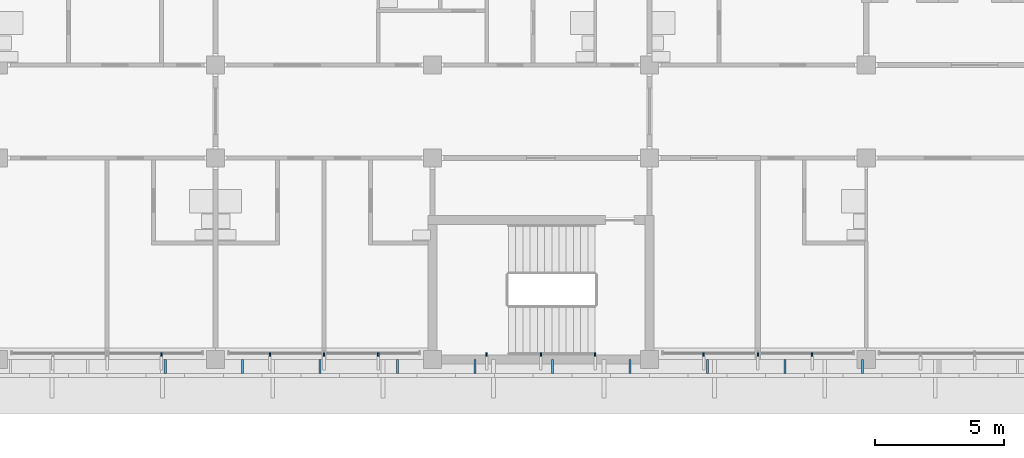
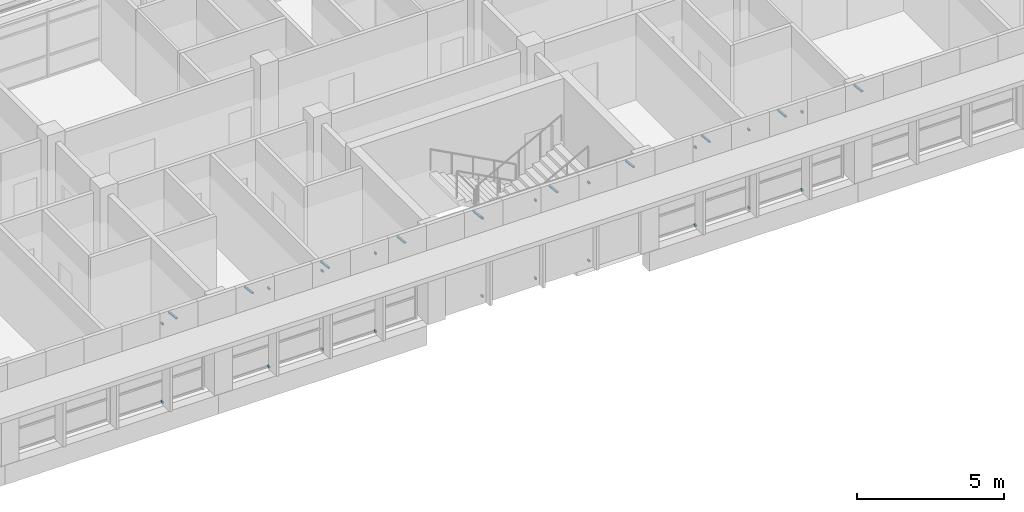
# One storey, part 50 of 71: 30 discrete accessories.
"""IFC4 building model written with IfcOpenShell, lengths in metres."""

from ifc_helpers import new_model, si_unit, direction, frame, origin, origin_2d, place, context, subcontext, project, spatial, rectangle, extrude, material, material_profile, profile_set, type_object, element, save


model = new_model("IFC4")

# Units and contexts
model_context = context("Model", 3, precision=1e-05, world=origin(), true_north=direction((0.0, 1.0)))
body_context = subcontext(model_context, "Body", "Model", "MODEL_VIEW")
ifc_project = project(units=[si_unit("LENGTHUNIT", "METRE"), si_unit("AREAUNIT", "SQUARE_METRE"), si_unit("VOLUMEUNIT", "CUBIC_METRE"), si_unit("PLANEANGLEUNIT", "RADIAN"), si_unit("MASSUNIT", "GRAM", prefix="KILO")], contexts=[model_context])

# Site, building, storey
site_placement = place(None, origin())
site = spatial("IfcSite", under=ifc_project, at=site_placement, CompositionType="ELEMENT")
building_placement = place(site_placement, origin())
building = spatial("IfcBuilding", under=site, at=building_placement, Name="Bougainvillea Quay General Hospital", CompositionType="ELEMENT")
storey_placement = place(building_placement, frame((0.0, 0.0, 24.89990234375)))
storey = spatial("IfcBuildingStorey", under=building, at=storey_placement, Name="L05", CompositionType="ELEMENT", Elevation=24.89990234375)

# Discrete accessories
ifc_material = material(Name="Stainless steel bracket, grade 316", Category="steel")
discrete_accessory_type_1 = type_object("IfcDiscreteAccessoryType", Name="Stainless steel fin arm 60x80", PredefinedType="BRACKET", material=ifc_material)
for number, where, z_axis, x_axis, name in (
    (1, (132.300048828125, 117.7900390625, 0.0), (0.0, 0.0, 1.0), (0.0, -1.0, 0.0), "Fin arm V5B L05 01.13B"),
    (2, (132.300048828125, 117.7900390625, 3.25), (0.0, 0.0, 1.0), (0.0, -1.0, 0.0), "Fin arm V5B L05 01.13T"),
    (3, (130.199951171875, 117.7900390625, 0.0), (0.0, 0.0, 1.0), (0.0, -1.0, 0.0), "Fin arm V5B L05 01.14B"),
    (4, (130.199951171875, 117.7900390625, 3.25), (0.0, 0.0, 1.0), (0.0, -1.0, 0.0), "Fin arm V5B L05 01.14T"),
    (5, (128.10009765625, 117.7900390625, 0.0), (0.0, 0.0, 1.0), (0.0, -1.0, 0.0), "Fin arm V5B L05 01.15B"),
    (6, (128.10009765625, 117.7900390625, 3.25), (0.0, 0.0, 1.0), (0.0, -1.0, 0.0), "Fin arm V5B L05 01.15T"),
    (7, (123.89990234375, 117.7900390625, 0.0), (0.0, 0.0, 1.0), (0.0, -1.0, 0.0), "Fin arm V5B L05 01.16B"),
    (8, (123.89990234375, 117.7900390625, 3.25), (0.0, 0.0, 1.0), (0.0, -1.0, 0.0), "Fin arm V5B L05 01.16T"),
    (9, (121.800048828125, 117.7900390625, 0.0), (0.0, 0.0, 1.0), (0.0, -1.0, 0.0), "Fin arm V5B L05 01.17B"),
    (10, (121.800048828125, 117.7900390625, 3.25), (0.0, 0.0, 1.0), (0.0, -1.0, 0.0), "Fin arm V5B L05 01.17T"),
    (11, (119.699951171875, 117.7900390625, 0.0), (0.0, 0.0, 1.0), (0.0, -1.0, 0.0), "Fin arm V5B L05 01.18B"),
    (12, (119.699951171875, 117.7900390625, 3.25), (0.0, 0.0, 1.0), (0.0, -1.0, 0.0), "Fin arm V5B L05 01.18T"),
    (13, (115.5, 117.7900390625, 0.0), (0.0, 0.0, 1.0), (0.0, -1.0, 0.0), "Fin arm V5B L05 01.19B"),
    (14, (115.5, 117.7900390625, 3.25), (0.0, 0.0, 1.0), (0.0, -1.0, 0.0), "Fin arm V5B L05 01.19T"),
    (15, (113.39990234375, 117.7900390625, 0.0), (0.0, 0.0, 1.0), (0.0, -1.0, 0.0), "Fin arm V5B L05 01.20B"),
    (16, (113.39990234375, 117.7900390625, 3.25), (0.0, 0.0, 1.0), (0.0, -1.0, 0.0), "Fin arm V5B L05 01.20T"),
    (17, (111.300048828125, 117.7900390625, 0.0), (0.0, 0.0, 1.0), (0.0, -1.0, 0.0), "Fin arm V5B L05 01.21B"),
    (18, (111.300048828125, 117.7900390625, 3.25), (0.0, 0.0, 1.0), (0.0, -1.0, 0.0), "Fin arm V5B L05 01.21T"),
    (19, (107.10009765625, 117.7900390625, 0.0), (0.0, 0.0, 1.0), (0.0, -1.0, 0.0), "Fin arm V5B L05 01.22B"),
    (20, (107.10009765625, 117.7900390625, 3.25), (0.0, 0.0, 1.0), (0.0, -1.0, 0.0), "Fin arm V5B L05 01.22T"),
):
    element("IfcDiscreteAccessory", number, at=place(storey_placement, frame(where, z_axis=z_axis, x_axis=x_axis)), inside=storey, type_object=discrete_accessory_type_1, Name=name, PredefinedType="BRACKET", context=body_context, shape_type="SweptSolid", body=[
        extrude(rectangle(XDim=0.1201171875, YDim=0.06005859375, at=origin_2d()), origin(), (0.0, 0.0, 1.0), 0.080078125),
    ])
ifc_material_profile = material_profile(ifc_material, rectangle(XDim=0.080078125, YDim=0.050048828125, at=origin_2d()))
ifc_profile_set = profile_set([ifc_material_profile], Name="Stainless steel bracket, grade 316")
discrete_accessory_type_2 = type_object("IfcDiscreteAccessoryType", Name="Stainless steel stand-off bracket 80x50", PredefinedType="BRACKET", material=ifc_profile_set)
for number, where, z_axis, x_axis, name in (
    (21, (107.25, 117.60009765625, 3.840087890625), (0.0, -0.994091793559, 0.108542645901), (1.0, 0.0, 0.0), "Fascia bracket e0 57"),
    (22, (110.25, 117.60009765625, 3.840087890625), (0.0, -0.994091793559, 0.108542645901), (1.0, 0.0, 0.0), "Fascia bracket e0 59"),
    (23, (113.25, 117.60009765625, 3.840087890625), (0.0, -0.994091793559, 0.108542645901), (1.0, 0.0, 0.0), "Fascia bracket e0 61"),
    (24, (116.25, 117.60009765625, 3.840087890625), (0.0, -0.994091793559, 0.108542645901), (1.0, 0.0, 0.0), "Fascia bracket e0 63"),
    (25, (119.25, 117.60009765625, 3.840087890625), (0.0, -0.994091793559, 0.108542645901), (1.0, 0.0, 0.0), "Fascia bracket e0 65"),
    (26, (122.25, 117.60009765625, 3.840087890625), (0.0, -0.994091793559, 0.108542645901), (1.0, 0.0, 0.0), "Fascia bracket e0 67"),
    (27, (125.25, 117.60009765625, 3.840087890625), (0.0, -0.994091793559, 0.108542645901), (1.0, 0.0, 0.0), "Fascia bracket e0 69"),
    (28, (128.25, 117.60009765625, 3.840087890625), (0.0, -0.994091793559, 0.108542645901), (1.0, 0.0, 0.0), "Fascia bracket e0 71"),
    (29, (131.25, 117.60009765625, 3.840087890625), (0.0, -0.994091793559, 0.108542645901), (1.0, 0.0, 0.0), "Fascia bracket e0 73"),
    (30, (134.25, 117.60009765625, 3.840087890625), (0.0, -0.994091793559, 0.108542645901), (1.0, 0.0, 0.0), "Fascia bracket e0 75"),
):
    element("IfcDiscreteAccessory", number, at=place(storey_placement, frame(where, z_axis=z_axis, x_axis=x_axis)), inside=storey, type_object=discrete_accessory_type_2, Name=name, PredefinedType="BRACKET", context=body_context, shape_type="SweptSolid", body=[
        extrude(rectangle(XDim=0.080078125, YDim=0.050048828125, at=origin_2d()), origin(), (0.0, 0.0, 1.0), 0.55322265625),
    ])

save(model, "model.ifc")
